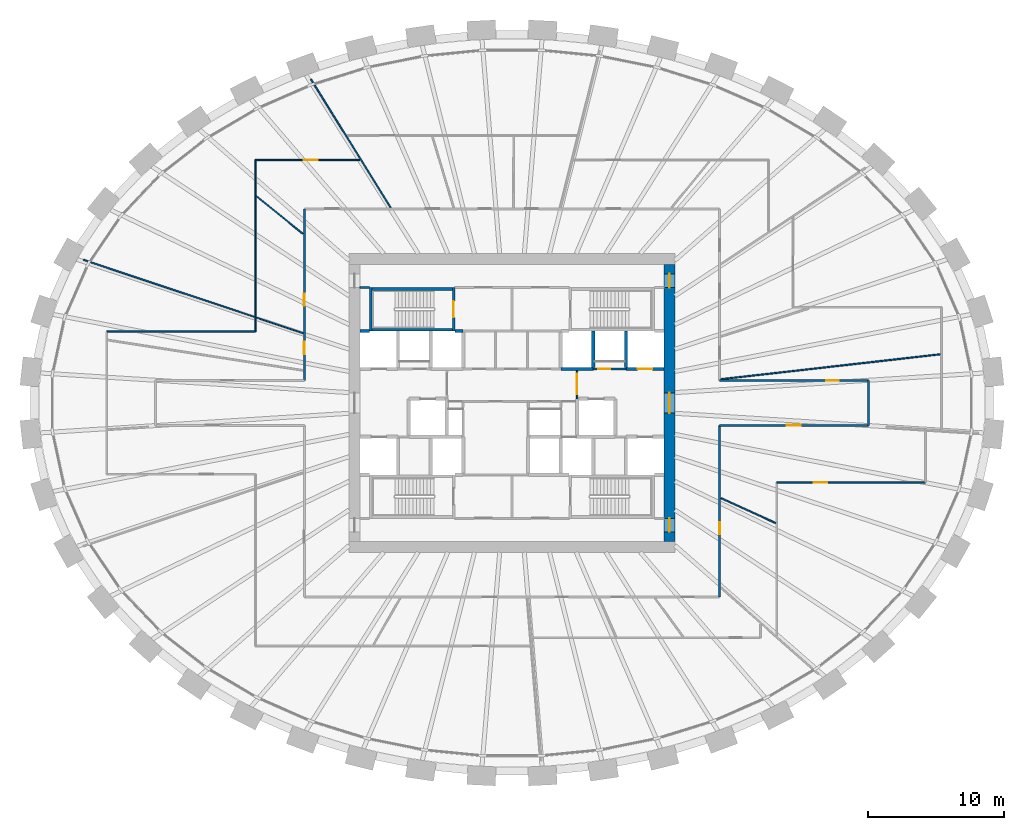
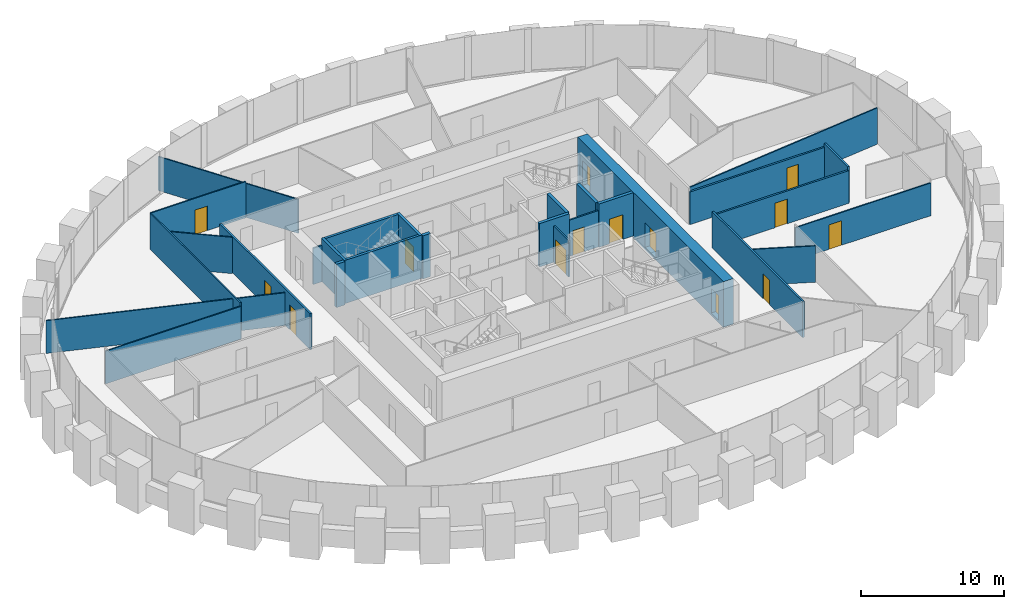
# One storey, part 8 of 11: 28 walls, 14 doors, 14 openings.
"""IFC4 building model written with IfcOpenShell, lengths in metres."""

import ifcopenshell
import ifcopenshell.guid

model = None  # the IFC model being written
_history = None  # IfcOwnerHistory: only IFC2X3 demands one
_inside = {}  # id of a spatial element -> (the spatial element, [elements in it])
_under = {}  # id of a project, library or spatial element -> (it, [spatial elements below it])
_declared = {}  # id of a project -> (the project, [libraries it declares])
_typed = {}  # id of a type object -> (the type object, [elements of that type])
_made_of = {}  # id of a material, layer set ... -> (it, [elements and type objects made of it])


def new_model(schema):
    """Start an empty IFC model of exactly this schema.

    Asked for "IFC4X3", IfcOpenShell would pick the latest addendum, in which some entities
    have other attributes; the version numbers below select the first issue.
    IFC2X3 requires an IfcOwnerHistory on every rooted entity: one is made here for all.
    """
    global model, _history
    if schema == "IFC4X3":
        model = ifcopenshell.file(schema_version=(4, 3, 0, 0))
    else:
        model = ifcopenshell.file(schema=schema)
    _inside.clear()
    _under.clear()
    _declared.clear()
    _typed.clear()
    _made_of.clear()
    _history = None
    if model.schema == "IFC2X3":
        org = make("IfcOrganization", Name="unknown")
        user = make(
            "IfcPersonAndOrganization",
            ThePerson=make("IfcPerson", FamilyName="unknown"),
            TheOrganization=org,
        )
        app = make(
            "IfcApplication",
            ApplicationDeveloper=org,
            Version="unknown",
            ApplicationFullName="unknown",
            ApplicationIdentifier="unknown",
        )
        _history = make(
            "IfcOwnerHistory",
            OwningUser=user,
            OwningApplication=app,
            ChangeAction="ADDED",
            CreationDate=0,
        )
    return model


def make(cls, **values):
    """One entity of the class cls with the attributes given. An attribute that is None is left unset."""
    return model.create_entity(
        cls, **{name: value for name, value in values.items() if value is not None}
    )


def rooted(cls, **values):
    """An entity with a GlobalId (a new one), such as an element, a storey or a relation."""
    return make(cls, GlobalId=ifcopenshell.guid.new(), OwnerHistory=_history, **values)


def si_unit(unit_type, name, prefix=None):
    """IfcSIUnit, for example si_unit("LENGTHUNIT", "METRE", prefix="MILLI")."""
    return make("IfcSIUnit", UnitType=unit_type, Prefix=prefix, Name=name)


def assignment(units):
    """IfcUnitAssignment: the units of a project."""
    return None if units is None else make("IfcUnitAssignment", Units=units)


def point(xyz):
    """IfcCartesianPoint."""
    return None if xyz is None else make("IfcCartesianPoint", Coordinates=xyz)


def direction(xyz):
    """IfcDirection."""
    return None if xyz is None else make("IfcDirection", DirectionRatios=xyz)


def frame(location, z_axis=None, x_axis=None):
    """IfcAxis2Placement3D, a coordinate frame: its origin and axes. An axis left out is left unset."""
    return make(
        "IfcAxis2Placement3D",
        Location=point(location),
        Axis=direction(z_axis),
        RefDirection=direction(x_axis),
    )


def frame_2d(location, x_axis=None):
    """IfcAxis2Placement2D, a coordinate frame in the plane: its origin and x axis."""
    return make(
        "IfcAxis2Placement2D", Location=point(location), RefDirection=direction(x_axis)
    )


def origin():
    """The frame at (0, 0, 0) with its axes left unset."""
    return frame((0.0, 0.0, 0.0))


def place(relative_to, where):
    """IfcLocalPlacement: puts the frame where relative to a parent placement (None: the world)."""
    return make(
        "IfcLocalPlacement", PlacementRelTo=relative_to, RelativePlacement=where
    )


def context(
    kind, dimensions, precision=None, world=None, true_north=None, identifier=None
):
    """IfcGeometricRepresentationContext, for example the 3D "Model" context."""
    return make(
        "IfcGeometricRepresentationContext",
        ContextIdentifier=identifier,
        ContextType=kind,
        CoordinateSpaceDimension=dimensions,
        Precision=precision,
        WorldCoordinateSystem=world,
        TrueNorth=true_north,
    )


def subcontext(parent, identifier, kind, view, scale=None):
    """IfcGeometricRepresentationSubContext, for example "Body" below "Model"."""
    return make(
        "IfcGeometricRepresentationSubContext",
        ContextIdentifier=identifier,
        ContextType=kind,
        ParentContext=parent,
        TargetScale=scale,
        TargetView=view,
    )


def project(units=None, contexts=None):
    """IfcProject with its units and contexts."""
    return rooted(
        "IfcProject",
        Name="project",
        RepresentationContexts=contexts,
        UnitsInContext=assignment(units),
    )


def spatial(cls, under=None, at=None, **own):
    """A site, building, storey or space (cls), placed at a placement, below another one or the project."""
    s = rooted(cls, ObjectPlacement=at, **own)
    if under is not None:
        _under.setdefault(under.id(), (under, []))[1].append(s)
    return s


def profile(cls, at=None, kind="AREA", **sizes):
    """A parametric profile (cls). Its sizes go by their IFC names, for example OverallWidth=200.0."""
    return make(cls, ProfileType=kind, Position=at, **sizes)


def rectangle(**sizes):
    """IfcRectangleProfileDef."""
    return profile("IfcRectangleProfileDef", **sizes)


def extrude(swept, where, along, depth):
    """IfcExtrudedAreaSolid: the profile swept, set in the frame where, extruded along a direction by depth."""
    return make(
        "IfcExtrudedAreaSolid",
        SweptArea=swept,
        Position=where,
        ExtrudedDirection=direction(along),
        Depth=depth,
    )


def shape(context_of_items, identifier, shape_type, items):
    """IfcShapeRepresentation: the items that make up one representation, for example the "Body"."""
    return make(
        "IfcShapeRepresentation",
        ContextOfItems=context_of_items,
        RepresentationIdentifier=identifier,
        RepresentationType=shape_type,
        Items=items,
    )


def source(mapping_origin, context_of_items, identifier, shape_type, items):
    """IfcRepresentationMap: a shape defined once, which mapped items show again and again."""
    return make(
        "IfcRepresentationMap",
        MappingOrigin=mapping_origin,
        MappedRepresentation=shape(context_of_items, identifier, shape_type, items),
    )


def transform(
    local_origin,
    x_axis=None,
    y_axis=None,
    z_axis=None,
    scale=None,
    scale2=None,
    scale3=None,
    uniform=True,
):
    """IfcCartesianTransformationOperator3D, or its non-uniform kind. x_axis, y_axis, z_axis: its Axis1, 2, 3."""
    if uniform:
        return make(
            "IfcCartesianTransformationOperator3D",
            Axis1=direction(x_axis),
            Axis2=direction(y_axis),
            LocalOrigin=point(local_origin),
            Scale=scale,
            Axis3=direction(z_axis),
        )
    return make(
        "IfcCartesianTransformationOperator3DnonUniform",
        Axis1=direction(x_axis),
        Axis2=direction(y_axis),
        LocalOrigin=point(local_origin),
        Scale=scale,
        Axis3=direction(z_axis),
        Scale2=scale2,
        Scale3=scale3,
    )


def mapped(mapping_source, mapping_target):
    """IfcMappedItem: shows the shape of a source again, moved by a transform."""
    return make(
        "IfcMappedItem", MappingSource=mapping_source, MappingTarget=mapping_target
    )


def material(Name=None, Category=None):
    """IfcMaterial."""
    return make("IfcMaterial", Name=Name, Category=Category)


def layer(
    of_material, thickness, ventilated=None, Name=None, Category=None, Priority=None
):
    """IfcMaterialLayer: one layer of a wall or slab, of a material (None: an air gap)."""
    return make(
        "IfcMaterialLayer",
        Material=of_material,
        LayerThickness=thickness,
        IsVentilated=ventilated,
        Name=Name,
        Category=Category,
        Priority=Priority,
    )


def layer_set(layers, Name=None):
    """IfcMaterialLayerSet."""
    return make("IfcMaterialLayerSet", MaterialLayers=layers, LayerSetName=Name)


def made_of(thing, what):
    """Note that an element or type object is made of a material, layer set ...; save() writes the relation."""
    if what is not None:
        _made_of.setdefault(what.id(), (what, []))[1].append(thing)
    return thing


def type_object(cls, material=None, **own):
    """A type object (cls), such as IfcWallType, which elements share."""
    return made_of(rooted(cls, **own), material)


def element(
    cls,
    number,
    at=None,
    inside=None,
    cuts=None,
    type_object=None,
    material=None,
    context=None,
    identifier="Body",
    shape_type=None,
    held_by="IfcProductDefinitionShape",
    body=None,
    shapes=None,
    **own,
):
    """One element of the class cls, such as IfcWall. Its Tag is "e" and its number.

    at: its placement. inside: the storey or other place that contains it. cuts: it is an
    opening in that element (IfcRelVoidsElement). A single representation is given by context,
    identifier, shape_type and body (its items); several are given by shapes. held_by: the class
    of the entity that holds the representations. save() writes the other relations.
    """
    e = rooted(cls, Tag="e%d" % number, ObjectPlacement=at, **own)
    if body is not None:
        shapes = [shape(context, identifier, shape_type, body)]
    if shapes is not None:
        e.Representation = make(held_by, Representations=shapes)
    if inside is not None:
        _inside.setdefault(inside.id(), (inside, []))[1].append(e)
    if cuts is not None:
        rooted(
            "IfcRelVoidsElement", RelatingBuildingElement=cuts, RelatedOpeningElement=e
        )
    if type_object is not None:
        _typed.setdefault(type_object.id(), (type_object, []))[1].append(e)
    return made_of(e, material)


def fill(opening, filler):
    """IfcRelFillsElement: the door or window that sits in an opening."""
    return rooted(
        "IfcRelFillsElement",
        RelatingOpeningElement=opening,
        RelatedBuildingElement=filler,
    )


def aggregate(whole, parts):
    """IfcRelAggregates: a whole, such as a stair, and the parts it consists of."""
    return rooted("IfcRelAggregates", RelatingObject=whole, RelatedObjects=parts)


def save(model, path):
    """Write the relations noted so far, then the file.

    IfcRelAggregates (storeys below a building ...), IfcRelContainedInSpatialStructure (elements
    in a storey), IfcRelDefinesByType, IfcRelAssociatesMaterial and IfcRelDeclares: one each for
    every whole, place, type object, material and project.
    """
    for whole, parts in _under.values():
        aggregate(whole, parts)
    for where, things in _inside.values():
        rooted(
            "IfcRelContainedInSpatialStructure",
            RelatedElements=things,
            RelatingStructure=where,
        )
    for kind, things in _typed.values():
        rooted("IfcRelDefinesByType", RelatedObjects=things, RelatingType=kind)
    for what, things in _made_of.values():
        rooted("IfcRelAssociatesMaterial", RelatedObjects=things, RelatingMaterial=what)
    for by, libraries in _declared.values():
        rooted("IfcRelDeclares", RelatingContext=by, RelatedDefinitions=libraries)
    model.write(path)


model = new_model("IFC4")

# Units and contexts
model_context = context("Model", 3, precision=1e-05, world=origin(), true_north=direction((0.0, 1.0)))
body_context = subcontext(model_context, "Body", "Model", "MODEL_VIEW")
ifc_project = project(units=[si_unit("LENGTHUNIT", "METRE"), si_unit("AREAUNIT", "SQUARE_METRE"), si_unit("VOLUMEUNIT", "CUBIC_METRE"), si_unit("PLANEANGLEUNIT", "RADIAN"), si_unit("MASSUNIT", "GRAM", prefix="KILO")], contexts=[model_context])

# Site, building, storey
site_placement = place(None, origin())
site = spatial("IfcSite", under=ifc_project, at=site_placement, CompositionType="ELEMENT")
building_placement = place(site_placement, origin())
building = spatial("IfcBuilding", under=site, at=building_placement, Name="Embergate Tower", CompositionType="ELEMENT")
storey_placement = place(building_placement, frame((0.0, 0.0, 219.0)))
storey = spatial("IfcBuildingStorey", under=building, at=storey_placement, Name="L50", CompositionType="ELEMENT", Elevation=219.0)

# Wall, openings, doors
ifc_material_1 = material(Name="Concrete C70", Category="concrete")
ifc_layer_1 = layer(ifc_material_1, 0.800048828125)
ifc_layer_set_1 = layer_set([ifc_layer_1], Name="Concrete C70")
wall_type_1 = type_object("IfcWallType", Name="Core outer wall C70 800", PredefinedType="SHEAR", material=ifc_layer_set_1)
shared_shape_1 = source(origin(), body_context, "Body", "SweptSolid", [
    extrude(rectangle(XDim=20.39990234375, YDim=0.800048828125, at=frame_2d((10.199951171875, 0.0))), origin(), (0.0, 0.0, 1.0), 3.89990234375),
])
wall_1_placement = place(storey_placement, frame((11.60009765625, -10.199951171875, -0.199951171875), z_axis=(0.0, 0.0, 1.0), x_axis=(0.0, 1.0, 0.0)))
wall_1 = element("IfcWall", 1, at=wall_1_placement, inside=storey, type_object=wall_type_1, Name="CW-L50-E", PredefinedType="SHEAR", context=body_context, shape_type="MappedRepresentation", body=[
    mapped(shared_shape_1, transform((0.0, 0.0, 0.0))),
])
shared_shape_2 = source(origin(), body_context, "Body", "SweptSolid", [
    extrude(rectangle(XDim=1.0, YDim=2.10009765625, at=frame_2d((0.5, 1.050048828125))), frame((0.0, 0.409912109375, 0.0), z_axis=(0.0, -1.0, 0.0), x_axis=(1.0, 0.0, 0.0)), (0.0, 0.0, 1.0), 0.820068359375),
])
opening_1_placement = place(wall_1_placement, frame((18.699951171875, 0.0, 0.199951171875)))
opening_1 = element("IfcOpeningElement", 2, at=opening_1_placement, cuts=wall_1, Name="Opening IF-1d", PredefinedType="OPENING", context=body_context, shape_type="MappedRepresentation", body=[
    mapped(shared_shape_2, transform((0.0, 0.0, 0.0))),
])
opening_2_placement = place(wall_1_placement, frame((0.699951171875, 0.0, 0.199951171875)))
opening_2 = element("IfcOpeningElement", 3, at=opening_2_placement, cuts=wall_1, Name="Opening IF-1d", PredefinedType="OPENING", context=body_context, shape_type="MappedRepresentation", body=[
    mapped(shared_shape_2, transform((0.0, 0.0, 0.0))),
])
shared_shape_3 = source(origin(), body_context, "Body", "SweptSolid", [
    extrude(rectangle(XDim=1.5, YDim=2.10009765625, at=frame_2d((0.75, 1.050048828125))), frame((0.0, 0.409912109375, 0.0), z_axis=(0.0, -1.0, 0.0), x_axis=(1.0, 0.0, 0.0)), (0.0, 0.0, 1.0), 0.820068359375),
])
opening_3_placement = place(wall_1_placement, frame((9.449951171875, 0.0, 0.199951171875)))
opening_3 = element("IfcOpeningElement", 4, at=opening_3_placement, cuts=wall_1, Name="Opening IF-3", PredefinedType="OPENING", context=body_context, shape_type="MappedRepresentation", body=[
    mapped(shared_shape_3, transform((0.0, 0.0, 0.0))),
])
ifc_material_2 = material(Name="Lobby fire door pair 1500")
door_type_1 = type_object("IfcDoorType", Name="Lobby fire door pair 1500", OperationType="DOUBLE_DOOR_SINGLE_SWING", PredefinedType="DOOR", material=ifc_material_2)
shared_shape_4 = source(origin(), body_context, "Body", "SweptSolid", [
    extrude(rectangle(XDim=1.5, YDim=2.10009765625, at=frame_2d((0.75, 1.050048828125))), frame((0.0, 0.02490234375, 0.0), z_axis=(0.0, -1.0, 0.0), x_axis=(1.0, 0.0, 0.0)), (0.0, 0.0, 1.0), 0.050048828125),
])
door_1_placement = place(opening_3_placement, origin())
door_1 = element("IfcDoor", 5, at=door_1_placement, inside=storey, type_object=door_type_1, Name="IF-3 door", OperationType="DOUBLE_DOOR_SINGLE_SWING", OverallHeight=2.10009765625, OverallWidth=1.5, PredefinedType="DOOR", context=body_context, shape_type="MappedRepresentation", body=[
    mapped(shared_shape_4, transform((0.0, 0.0, 0.0))),
])
fill(opening_3, door_1)
ifc_material_3 = material(Name="Escape fire door 1000")
door_type_2 = type_object("IfcDoorType", Name="Escape fire door 1000", OperationType="SINGLE_SWING_LEFT", PredefinedType="DOOR", material=ifc_material_3)
shared_shape_5 = source(origin(), body_context, "Body", "SweptSolid", [
    extrude(rectangle(XDim=1.0, YDim=2.10009765625, at=frame_2d((0.5, 1.050048828125))), frame((0.0, 0.02490234375, 0.0), z_axis=(0.0, -1.0, 0.0), x_axis=(1.0, 0.0, 0.0)), (0.0, 0.0, 1.0), 0.050048828125),
])
door_2_placement = place(opening_1_placement, origin())
door_2 = element("IfcDoor", 6, at=door_2_placement, inside=storey, type_object=door_type_2, Name="IF-1 door", OperationType="SINGLE_SWING_LEFT", OverallHeight=2.10009765625, OverallWidth=1.0, PredefinedType="DOOR", context=body_context, shape_type="MappedRepresentation", body=[
    mapped(shared_shape_5, transform((0.0, 0.0, 0.0))),
])
fill(opening_1, door_2)
door_3_placement = place(opening_2_placement, origin())
door_3 = element("IfcDoor", 7, at=door_3_placement, inside=storey, type_object=door_type_2, Name="IF-1 door", OperationType="SINGLE_SWING_LEFT", OverallHeight=2.10009765625, OverallWidth=1.0, PredefinedType="DOOR", context=body_context, shape_type="MappedRepresentation", body=[
    mapped(shared_shape_5, transform((0.0, 0.0, 0.0))),
])
fill(opening_2, door_3)

# Walls
ifc_material_4 = material(Name="Concrete C50", Category="concrete")
ifc_layer_2 = layer(ifc_material_4, 0.25)
ifc_layer_set_2 = layer_set([ifc_layer_2], Name="Concrete C50")
wall_type_2 = type_object("IfcWallType", Name="Hoistway wall reinforced concrete 250", PredefinedType="SHEAR", material=ifc_layer_set_2)
shared_shape_6 = source(origin(), body_context, "Body", "SweptSolid", [
    extrude(rectangle(XDim=2.675048828125, YDim=0.25, at=frame_2d((1.33740234375, 0.0))), origin(), (0.0, 0.0, 1.0), 3.699951171875),
])
for number, where, z_axis, x_axis, name in (
    (8, (6.0, 2.625, 0.0), (0.0, 0.0, 1.0), (0.0, 1.0, 0.0), "HW-1 wall"),
    (9, (8.39990234375, 2.625, 0.0), (0.0, 0.0, 1.0), (0.0, 1.0, 0.0), "HW-1 wall"),
):
    element("IfcWall", number, at=place(storey_placement, frame(where, z_axis=z_axis, x_axis=x_axis)), inside=storey, type_object=wall_type_2, Name=name, PredefinedType="SHEAR", context=body_context, shape_type="MappedRepresentation", body=[
        mapped(shared_shape_6, transform((0.0, 0.0, 0.0))),
    ])
ifc_layer_3 = layer(ifc_material_4, 0.199951171875)
ifc_layer_set_3 = layer_set([ifc_layer_3], Name="Concrete C50")
wall_type_3 = type_object("IfcWallType", Name="Stair enclosure wall reinforced concrete 250", PredefinedType="SHEAR", material=ifc_layer_set_3)
shared_shape_7 = source(origin(), body_context, "Body", "SweptSolid", [
    extrude(rectangle(XDim=6.300048828125, YDim=0.199951171875, at=frame_2d((3.14990234375, 0.0))), origin(), (0.0, 0.0, 1.0), 3.699951171875),
])
for number, where, z_axis, x_axis, name in (
    (10, (-4.199951171875, 5.39990234375, 0.0), (0.0, 0.0, 1.0), (-1.0, 0.0, 0.0), "SE-1 wall"),
    (11, (-4.199951171875, 8.39990234375, 0.0), (0.0, 0.0, 1.0), (-1.0, 0.0, 0.0), "SE-1 wall"),
):
    element("IfcWall", number, at=place(storey_placement, frame(where, z_axis=z_axis, x_axis=x_axis)), inside=storey, type_object=wall_type_3, Name=name, PredefinedType="SHEAR", context=body_context, shape_type="MappedRepresentation", body=[
        mapped(shared_shape_7, transform((0.0, 0.0, 0.0))),
    ])

# Wall, opening, door
ifc_material_5 = material(Name="Core partition blockwork 120")
ifc_layer_4 = layer(ifc_material_5, 0.1201171875)
ifc_layer_set_4 = layer_set([ifc_layer_4], Name="Core partition blockwork 120")
wall_type_4 = type_object("IfcWallType", Name="Core partition blockwork 120", PredefinedType="PARTITIONING", material=ifc_layer_set_4)
shared_shape_8 = source(origin(), body_context, "Body", "SweptSolid", [
    extrude(rectangle(XDim=2.074951171875, YDim=0.1201171875, at=frame_2d((1.03759765625, 0.0))), origin(), (0.0, 0.0, 1.0), 3.10009765625),
])
wall_2_placement = place(storey_placement, frame((4.800048828125, 0.300048828125, 0.0), z_axis=(0.0, 0.0, 1.0), x_axis=(0.0, 1.0, 0.0)))
wall_2 = element("IfcWall", 12, at=wall_2_placement, inside=storey, type_object=wall_type_4, Name="IP-3 wall", PredefinedType="PARTITIONING", context=body_context, shape_type="MappedRepresentation", body=[
    mapped(shared_shape_8, transform((0.0, 0.0, 0.0))),
])
shared_shape_9 = source(origin(), body_context, "Body", "SweptSolid", [
    extrude(rectangle(XDim=1.5, YDim=2.10009765625, at=frame_2d((0.75, 1.050048828125))), frame((0.0, 0.070068359375, 0.0), z_axis=(0.0, -1.0, 0.0), x_axis=(1.0, 0.0, 0.0)), (0.0, 0.0, 1.0), 0.14013671875),
])
opening_4_placement = place(wall_2_placement, frame((0.35009765625, 0.0, 0.0)))
opening_4 = element("IfcOpeningElement", 13, at=opening_4_placement, cuts=wall_2, Name="Opening IF-3", PredefinedType="OPENING", context=body_context, shape_type="MappedRepresentation", body=[
    mapped(shared_shape_9, transform((0.0, 0.0, 0.0))),
])
door_4_placement = place(opening_4_placement, origin())
door_4 = element("IfcDoor", 14, at=door_4_placement, inside=storey, type_object=door_type_1, Name="IF-3 door", OperationType="DOUBLE_DOOR_SINGLE_SWING", OverallHeight=2.10009765625, OverallWidth=1.5, PredefinedType="DOOR", context=body_context, shape_type="MappedRepresentation", body=[
    mapped(shared_shape_4, transform((0.0, 0.0, 0.0))),
])
fill(opening_4, door_4)

shared_shape_10 = source(origin(), body_context, "Body", "SweptSolid", [
    extrude(rectangle(XDim=3.199951171875, YDim=0.199951171875, at=frame_2d((1.60009765625, 0.0))), origin(), (0.0, 0.0, 1.0), 3.699951171875),
])
wall_3_placement = place(storey_placement, frame((-4.300048828125, 5.300048828125, 0.0), z_axis=(0.0, 0.0, 1.0), x_axis=(0.0, 1.0, 0.0)))
wall_3 = element("IfcWall", 15, at=wall_3_placement, inside=storey, type_object=wall_type_3, Name="SE-1 wall", PredefinedType="SHEAR", context=body_context, shape_type="MappedRepresentation", body=[
    mapped(shared_shape_10, transform((0.0, 0.0, 0.0))),
])
shared_shape_11 = source(origin(), body_context, "Body", "SweptSolid", [
    extrude(rectangle(XDim=1.199951171875, YDim=2.10009765625, at=frame_2d((0.60009765625, 1.050048828125))), frame((0.0, 0.10986328125, 0.0), z_axis=(0.0, -1.0, 0.0), x_axis=(1.0, 0.0, 0.0)), (0.0, 0.0, 1.0), 0.219970703125),
])
opening_5_placement = place(wall_3_placement, frame((1.0, 0.0, 0.0)))
opening_5 = element("IfcOpeningElement", 16, at=opening_5_placement, cuts=wall_3, Name="Opening IF-2", PredefinedType="OPENING", context=body_context, shape_type="MappedRepresentation", body=[
    mapped(shared_shape_11, transform((0.0, 0.0, 0.0))),
])
ifc_material_6 = material(Name="Stair enclosure door 1200")
door_type_3 = type_object("IfcDoorType", Name="Stair enclosure door 1200", OperationType="SINGLE_SWING_LEFT", PredefinedType="DOOR", material=ifc_material_6)
shared_shape_12 = source(origin(), body_context, "Body", "SweptSolid", [
    extrude(rectangle(XDim=1.199951171875, YDim=2.10009765625, at=frame_2d((0.60009765625, 1.050048828125))), frame((0.0, 0.02490234375, 0.0), z_axis=(0.0, -1.0, 0.0), x_axis=(1.0, 0.0, 0.0)), (0.0, 0.0, 1.0), 0.050048828125),
])
door_5_placement = place(opening_5_placement, origin())
door_5 = element("IfcDoor", 17, at=door_5_placement, inside=storey, type_object=door_type_3, Name="IF-2 door", OperationType="SINGLE_SWING_RIGHT", OverallHeight=2.10009765625, OverallWidth=1.199951171875, PredefinedType="DOOR", context=body_context, shape_type="MappedRepresentation", body=[
    mapped(shared_shape_12, transform((0.0, 0.0, 0.0))),
])
fill(opening_5, door_5)

# Wall
shared_shape_13 = source(origin(), body_context, "Body", "SweptSolid", [
    extrude(rectangle(XDim=2.39990234375, YDim=0.25, at=frame_2d((1.199951171875, 0.0))), origin(), (0.0, 0.0, 1.0), 3.699951171875),
])
wall_4_placement = place(storey_placement, frame((3.60009765625, 2.5, 0.0), z_axis=(0.0, 0.0, 1.0), x_axis=(1.0, 0.0, 0.0)))
element("IfcWall", 18, at=wall_4_placement, inside=storey, type_object=wall_type_2, Name="HW-1 wall", PredefinedType="SHEAR", context=body_context, shape_type="MappedRepresentation", body=[
    mapped(shared_shape_13, transform((0.0, 0.0, 0.0))),
])

# Wall, opening, door
ifc_material_7 = material(Name="Corridor wall dry-lined 150")
ifc_layer_5 = layer(ifc_material_7, 0.14990234375)
ifc_layer_set_5 = layer_set([ifc_layer_5], Name="Corridor wall dry-lined 150")
wall_type_5 = type_object("IfcWallType", Name="Corridor wall dry-lined 150", PredefinedType="PARTITIONING", material=ifc_layer_set_5)
shared_shape_14 = source(origin(), body_context, "Body", "SweptSolid", [
    extrude(rectangle(XDim=10.949951171875, YDim=0.14990234375, at=frame_2d((5.47509765625, 0.0))), origin(), (0.0, 0.0, 1.0), 2.800048828125),
])
wall_5_placement = place(storey_placement, frame((15.300048828125, -1.64990234375, 0.0), z_axis=(0.0, 0.0, 1.0), x_axis=(1.0, 0.0, 0.0)))
wall_5 = element("IfcWall", 19, at=wall_5_placement, inside=storey, type_object=wall_type_5, Name="IP-2 wall", PredefinedType="PARTITIONING", context=body_context, shape_type="MappedRepresentation", body=[
    mapped(shared_shape_14, transform((0.0, 0.0, 0.0))),
])
shared_shape_15 = source(origin(), body_context, "Body", "SweptSolid", [
    extrude(rectangle(XDim=1.0, YDim=2.10009765625, at=frame_2d((0.5, 1.050048828125))), frame((0.0, 0.0849609375, 0.0), z_axis=(0.0, -1.0, 0.0), x_axis=(1.0, 0.0, 0.0)), (0.0, 0.0, 1.0), 0.169921875),
])
opening_6_placement = place(wall_5_placement, frame((4.9560546875, 0.0, 0.0)))
opening_6 = element("IfcOpeningElement", 20, at=opening_6_placement, cuts=wall_5, Name="Opening ID-2", PredefinedType="OPENING", context=body_context, shape_type="MappedRepresentation", body=[
    mapped(shared_shape_15, transform((0.0, 0.0, 0.0))),
])
ifc_material_8 = material(Name="Interior door 1000")
door_type_4 = type_object("IfcDoorType", Name="Interior door 1000", OperationType="SINGLE_SWING_LEFT", PredefinedType="DOOR", material=ifc_material_8)
door_6_placement = place(opening_6_placement, origin())
door_6 = element("IfcDoor", 21, at=door_6_placement, inside=storey, type_object=door_type_4, Name="ID-2 door", OperationType="SINGLE_SWING_RIGHT", OverallHeight=2.10009765625, OverallWidth=1.0, PredefinedType="DOOR", context=body_context, shape_type="MappedRepresentation", body=[
    mapped(shared_shape_5, transform((0.0, 0.0, 0.0))),
])
fill(opening_6, door_6)

wall_6_placement = place(storey_placement, frame((26.25, 1.64990234375, 0.0), z_axis=(0.0, 0.0, 1.0), x_axis=(-1.0, 0.0, 0.0)))
wall_6 = element("IfcWall", 22, at=wall_6_placement, inside=storey, type_object=wall_type_5, Name="IP-2 wall", PredefinedType="PARTITIONING", context=body_context, shape_type="MappedRepresentation", body=[
    mapped(shared_shape_14, transform((0.0, 0.0, 0.0))),
])
shared_shape_16 = source(origin(), body_context, "Body", "SweptSolid", [
    extrude(rectangle(XDim=0.89990234375, YDim=2.10009765625, at=frame_2d((0.449951171875, 1.050048828125))), frame((0.0, 0.0849609375, 0.0), z_axis=(0.0, -1.0, 0.0), x_axis=(1.0, 0.0, 0.0)), (0.0, 0.0, 1.0), 0.169921875),
])
opening_7_placement = place(wall_6_placement, frame((2.18994140625, 0.0, 0.0)))
opening_7 = element("IfcOpeningElement", 23, at=opening_7_placement, cuts=wall_6, Name="Opening IF-1c", PredefinedType="OPENING", context=body_context, shape_type="MappedRepresentation", body=[
    mapped(shared_shape_16, transform((0.0, 0.0, 0.0))),
])
ifc_material_9 = material(Name="Escape fire door 900")
door_type_5 = type_object("IfcDoorType", Name="Escape fire door 900", OperationType="SINGLE_SWING_LEFT", PredefinedType="DOOR", material=ifc_material_9)
shared_shape_17 = source(origin(), body_context, "Body", "SweptSolid", [
    extrude(rectangle(XDim=0.89990234375, YDim=2.10009765625, at=frame_2d((0.449951171875, 1.050048828125))), frame((0.0, 0.02490234375, 0.0), z_axis=(0.0, -1.0, 0.0), x_axis=(1.0, 0.0, 0.0)), (0.0, 0.0, 1.0), 0.050048828125),
])
door_7_placement = place(opening_7_placement, origin())
door_7 = element("IfcDoor", 24, at=door_7_placement, inside=storey, type_object=door_type_5, Name="IF-1 door", OperationType="SINGLE_SWING_LEFT", OverallHeight=2.10009765625, OverallWidth=0.89990234375, PredefinedType="DOOR", context=body_context, shape_type="MappedRepresentation", body=[
    mapped(shared_shape_17, transform((0.0, 0.0, 0.0))),
])
fill(opening_7, door_7)

ifc_material_10 = material(Name="Partition dry-lined 100")
ifc_layer_6 = layer(ifc_material_10, 0.10009765625)
ifc_layer_set_6 = layer_set([ifc_layer_6], Name="Partition dry-lined 100")
wall_type_6 = type_object("IfcWallType", Name="Partition dry-lined 100", PredefinedType="PARTITIONING", material=ifc_layer_set_6)
shared_shape_18 = source(origin(), body_context, "Body", "SweptSolid", [
    extrude(rectangle(XDim=10.949951171875, YDim=0.10009765625, at=frame_2d((5.47509765625, 0.0))), origin(), (0.0, 0.0, 1.0), 2.800048828125),
])
wall_7_placement = place(storey_placement, frame((30.449951171875, -5.85009765625, 0.0), z_axis=(0.0, 0.0, 1.0), x_axis=(-1.0, 0.0, 0.0)))
wall_7 = element("IfcWall", 25, at=wall_7_placement, inside=storey, type_object=wall_type_6, Name="IP-1 wall", PredefinedType="PARTITIONING", context=body_context, shape_type="MappedRepresentation", body=[
    mapped(shared_shape_18, transform((0.0, 0.0, 0.0))),
])
shared_shape_19 = source(origin(), body_context, "Body", "SweptSolid", [
    extrude(rectangle(XDim=1.0, YDim=2.10009765625, at=frame_2d((0.5, 1.050048828125))), frame((0.0, 0.06005859375, 0.0), z_axis=(0.0, -1.0, 0.0), x_axis=(1.0, 0.0, 0.0)), (0.0, 0.0, 1.0), 0.1201171875),
])
opening_8_placement = place(wall_7_placement, frame((7.218994140625, 0.0, 0.0)))
opening_8 = element("IfcOpeningElement", 26, at=opening_8_placement, cuts=wall_7, Name="Opening ID-2", PredefinedType="OPENING", context=body_context, shape_type="MappedRepresentation", body=[
    mapped(shared_shape_19, transform((0.0, 0.0, 0.0))),
])
door_8_placement = place(opening_8_placement, origin())
door_8 = element("IfcDoor", 27, at=door_8_placement, inside=storey, type_object=door_type_4, Name="ID-2 door", OperationType="SINGLE_SWING_RIGHT", OverallHeight=2.10009765625, OverallWidth=1.0, PredefinedType="DOOR", context=body_context, shape_type="MappedRepresentation", body=[
    mapped(shared_shape_5, transform((0.0, 0.0, 0.0))),
])
fill(opening_8, door_8)

shared_shape_20 = source(origin(), body_context, "Body", "SweptSolid", [
    extrude(rectangle(XDim=2.800048828125, YDim=0.25, at=frame_2d((1.39990234375, 0.0))), origin(), (0.0, 0.0, 1.0), 3.699951171875),
])
wall_8_placement = place(storey_placement, frame((8.39990234375, 2.5, 0.0), z_axis=(0.0, 0.0, 1.0), x_axis=(1.0, 0.0, 0.0)))
wall_8 = element("IfcWall", 28, at=wall_8_placement, inside=storey, type_object=wall_type_2, Name="HW-1 wall", PredefinedType="SHEAR", context=body_context, shape_type="MappedRepresentation", body=[
    mapped(shared_shape_20, transform((0.0, 0.0, 0.0))),
])
shared_shape_21 = source(origin(), body_context, "Body", "SweptSolid", [
    extrude(rectangle(XDim=1.10009765625, YDim=2.10009765625, at=frame_2d((0.550048828125, 1.050048828125))), frame((0.0, 0.135009765625, 0.0), z_axis=(0.0, -1.0, 0.0), x_axis=(1.0, 0.0, 0.0)), (0.0, 0.0, 1.0), 0.27001953125),
])
opening_9_placement = place(wall_8_placement, frame((0.85009765625, 0.0, 0.0)))
opening_9 = element("IfcOpeningElement", 29, at=opening_9_placement, cuts=wall_8, Name="Opening LD", PredefinedType="OPENING", context=body_context, shape_type="MappedRepresentation", body=[
    mapped(shared_shape_21, transform((0.0, 0.0, 0.0))),
])
ifc_material_11 = material(Name="Landing door sliding 1100")
door_type_6 = type_object("IfcDoorType", Name="Landing door sliding 1100", OperationType="SLIDING_TO_LEFT", PredefinedType="DOOR", material=ifc_material_11)
shared_shape_22 = source(origin(), body_context, "Body", "SweptSolid", [
    extrude(rectangle(XDim=1.10009765625, YDim=2.10009765625, at=frame_2d((0.550048828125, 1.050048828125))), frame((0.0, 0.02490234375, 0.0), z_axis=(0.0, -1.0, 0.0), x_axis=(1.0, 0.0, 0.0)), (0.0, 0.0, 1.0), 0.050048828125),
])
door_9_placement = place(opening_9_placement, origin())
door_9 = element("IfcDoor", 30, at=door_9_placement, inside=storey, type_object=door_type_6, Name="LD door", OperationType="SLIDING_TO_RIGHT", OverallHeight=2.10009765625, OverallWidth=1.10009765625, PredefinedType="DOOR", context=body_context, shape_type="MappedRepresentation", body=[
    mapped(shared_shape_22, transform((0.0, 0.0, 0.0))),
])
fill(opening_9, door_9)

shared_shape_23 = source(origin(), body_context, "Body", "SweptSolid", [
    extrude(rectangle(XDim=2.39990234375, YDim=0.1201171875, at=frame_2d((1.199951171875, 0.0))), origin(), (0.0, 0.0, 1.0), 3.10009765625),
])
wall_9_placement = place(storey_placement, frame((6.0, 2.5, 0.0), z_axis=(0.0, 0.0, 1.0), x_axis=(1.0, 0.0, 0.0)))
wall_9 = element("IfcWall", 31, at=wall_9_placement, inside=storey, type_object=wall_type_4, Name="IP-3 wall", PredefinedType="PARTITIONING", context=body_context, shape_type="MappedRepresentation", body=[
    mapped(shared_shape_23, transform((0.0, 0.0, 0.0))),
])
shared_shape_24 = source(origin(), body_context, "Body", "SweptSolid", [
    extrude(rectangle(XDim=0.89990234375, YDim=2.10009765625, at=frame_2d((0.449951171875, 1.050048828125))), frame((0.0, 0.070068359375, 0.0), z_axis=(0.0, -1.0, 0.0), x_axis=(1.0, 0.0, 0.0)), (0.0, 0.0, 1.0), 0.14013671875),
])
opening_10_placement = place(wall_9_placement, frame((0.35009765625, 0.0, 0.0)))
opening_10 = element("IfcOpeningElement", 32, at=opening_10_placement, cuts=wall_9, Name="Opening ID-1", PredefinedType="OPENING", context=body_context, shape_type="MappedRepresentation", body=[
    mapped(shared_shape_24, transform((0.0, 0.0, 0.0))),
])
ifc_material_12 = material(Name="Interior door 900")
door_type_7 = type_object("IfcDoorType", Name="Interior door 900", OperationType="SINGLE_SWING_LEFT", PredefinedType="DOOR", material=ifc_material_12)
door_10_placement = place(opening_10_placement, origin())
door_10 = element("IfcDoor", 33, at=door_10_placement, inside=storey, type_object=door_type_7, Name="ID-1 door", OperationType="SINGLE_SWING_LEFT", OverallHeight=2.10009765625, OverallWidth=0.89990234375, PredefinedType="DOOR", context=body_context, shape_type="MappedRepresentation", body=[
    mapped(shared_shape_17, transform((0.0, 0.0, 0.0))),
])
fill(opening_10, door_10)

# Walls
shared_shape_25 = source(origin(), body_context, "Body", "SweptSolid", [
    extrude(rectangle(XDim=0.599853515625, YDim=0.25, at=frame_2d((0.2998046875, 0.0))), origin(), (0.0, 0.0, 1.0), 3.699951171875),
])
wall_10_placement = place(storey_placement, frame((-3.60009765625, 5.300048828125, 0.0), z_axis=(0.0, 0.0, 1.0), x_axis=(-1.0, 0.0, 0.0)))
element("IfcWall", 34, at=wall_10_placement, inside=storey, type_object=wall_type_2, Name="HW-1 wall", PredefinedType="SHEAR", context=body_context, shape_type="MappedRepresentation", body=[
    mapped(shared_shape_25, transform((0.0, 0.0, 0.0))),
])
shared_shape_26 = source(origin(), body_context, "Body", "SweptSolid", [
    extrude(rectangle(XDim=3.196044921875, YDim=0.199951171875, at=frame_2d((1.59814453125, 0.0))), origin(), (0.0, 0.0, 1.0), 3.699951171875),
])
wall_11_placement = place(storey_placement, frame((-10.39990234375, 8.498046875, 0.0), z_axis=(0.0, 0.0, 1.0), x_axis=(0.0, -1.0, 0.0)))
element("IfcWall", 35, at=wall_11_placement, inside=storey, type_object=wall_type_3, Name="SE-1 wall", PredefinedType="SHEAR", context=body_context, shape_type="MappedRepresentation", body=[
    mapped(shared_shape_26, transform((0.0, 0.0, 0.0))),
])
shared_shape_27 = source(origin(), body_context, "Body", "SweptSolid", [
    extrude(rectangle(XDim=0.697998046875, YDim=0.25, at=frame_2d((0.34912109375, 0.0))), origin(), (0.0, 0.0, 1.0), 3.699951171875),
])
wall_12_placement = place(storey_placement, frame((-10.501953125, 5.300048828125, 0.0), z_axis=(0.0, 0.0, 1.0), x_axis=(-1.0, 0.0, 0.0)))
element("IfcWall", 36, at=wall_12_placement, inside=storey, type_object=wall_type_2, Name="HW-1 wall", PredefinedType="SHEAR", context=body_context, shape_type="MappedRepresentation", body=[
    mapped(shared_shape_27, transform((0.0, 0.0, 0.0))),
])
shared_shape_28 = source(origin(), body_context, "Body", "SweptSolid", [
    extrude(rectangle(XDim=0.697998046875, YDim=0.1201171875, at=frame_2d((0.34912109375, 0.0))), origin(), (0.0, 0.0, 1.0), 3.10009765625),
])
wall_13_placement = place(storey_placement, frame((-11.199951171875, 8.5, 0.0), z_axis=(0.0, 0.0, 1.0), x_axis=(1.0, 0.0, 0.0)))
element("IfcWall", 37, at=wall_13_placement, inside=storey, type_object=wall_type_4, Name="IP-3 wall", PredefinedType="PARTITIONING", context=body_context, shape_type="MappedRepresentation", body=[
    mapped(shared_shape_28, transform((0.0, 0.0, 0.0))),
])
shared_shape_29 = source(origin(), body_context, "Body", "SweptSolid", [
    extrude(rectangle(XDim=10.9501953125, YDim=0.10009765625, at=frame_2d((5.47509765625, 0.0))), origin(), (0.0, 0.0, 1.0), 2.800048828125),
])
wall_14_placement = place(storey_placement, frame((-29.85009765625, 5.25, 0.0), z_axis=(0.0, 0.0, 1.0), x_axis=(1.0, 0.0, 0.0)))
element("IfcWall", 38, at=wall_14_placement, inside=storey, type_object=wall_type_6, Name="IP-1 wall", PredefinedType="PARTITIONING", context=body_context, shape_type="MappedRepresentation", body=[
    mapped(shared_shape_29, transform((0.0, 0.0, 0.0))),
])

# Wall, opening, door
ifc_material_13 = material(Name="Corridor wall dry-lined 150 wet")
ifc_layer_7 = layer(ifc_material_13, 0.14990234375)
ifc_layer_set_7 = layer_set([ifc_layer_7], Name="Corridor wall dry-lined 150 wet")
wall_type_7 = type_object("IfcWallType", Name="Corridor wall dry-lined 150 wet", PredefinedType="PLUMBINGWALL", material=ifc_layer_set_7)
shared_shape_30 = source(origin(), body_context, "Body", "SweptSolid", [
    extrude(rectangle(XDim=12.650146484375, YDim=0.14990234375, at=frame_2d((6.3251953125, 0.0))), origin(), (0.0, 0.0, 1.0), 3.10009765625),
])
wall_15_placement = place(storey_placement, frame((15.300048828125, -1.64990234375, 0.0), z_axis=(0.0, 0.0, 1.0), x_axis=(0.0, -1.0, 0.0)))
wall_15 = element("IfcWall", 39, at=wall_15_placement, inside=storey, type_object=wall_type_7, Name="IP-2 wall", PredefinedType="PLUMBINGWALL", context=body_context, shape_type="MappedRepresentation", body=[
    mapped(shared_shape_30, transform((0.0, 0.0, 0.0))),
])
opening_11_placement = place(wall_15_placement, frame((7.14111328125, 0.0, 0.0)))
opening_11 = element("IfcOpeningElement", 40, at=opening_11_placement, cuts=wall_15, Name="Opening IF-1c", PredefinedType="OPENING", context=body_context, shape_type="MappedRepresentation", body=[
    mapped(shared_shape_16, transform((0.0, 0.0, 0.0))),
])
door_11_placement = place(opening_11_placement, origin())
door_11 = element("IfcDoor", 41, at=door_11_placement, inside=storey, type_object=door_type_5, Name="IF-1 door", OperationType="SINGLE_SWING_LEFT", OverallHeight=2.10009765625, OverallWidth=0.89990234375, PredefinedType="DOOR", context=body_context, shape_type="MappedRepresentation", body=[
    mapped(shared_shape_17, transform((0.0, 0.0, 0.0))),
])
fill(opening_11, door_11)

# Wall, openings, doors
wall_16_placement = place(storey_placement, frame((-15.300048828125, 1.64990234375, 0.0), z_axis=(0.0, 0.0, 1.0), x_axis=(0.0, 1.0, 0.0)))
wall_16 = element("IfcWall", 42, at=wall_16_placement, inside=storey, type_object=wall_type_5, Name="IP-2 wall", PredefinedType="PARTITIONING", context=body_context, shape_type="MappedRepresentation", body=[
    mapped(shared_shape_30, transform((0.0, 0.0, 0.0))),
])
opening_12_placement = place(wall_16_placement, frame((5.491943359375, 0.0, 0.0)))
opening_12 = element("IfcOpeningElement", 43, at=opening_12_placement, cuts=wall_16, Name="Opening IF-1c", PredefinedType="OPENING", context=body_context, shape_type="MappedRepresentation", body=[
    mapped(shared_shape_16, transform((0.0, 0.0, 0.0))),
])
opening_13_placement = place(wall_16_placement, frame((1.94091796875, 0.0, 0.0)))
opening_13 = element("IfcOpeningElement", 44, at=opening_13_placement, cuts=wall_16, Name="Opening IF-1c", PredefinedType="OPENING", context=body_context, shape_type="MappedRepresentation", body=[
    mapped(shared_shape_16, transform((0.0, 0.0, 0.0))),
])
door_12_placement = place(opening_12_placement, origin())
door_12 = element("IfcDoor", 45, at=door_12_placement, inside=storey, type_object=door_type_5, Name="IF-1 door", OperationType="SINGLE_SWING_RIGHT", OverallHeight=2.10009765625, OverallWidth=0.89990234375, PredefinedType="DOOR", context=body_context, shape_type="MappedRepresentation", body=[
    mapped(shared_shape_17, transform((0.0, 0.0, 0.0))),
])
fill(opening_12, door_12)
door_13_placement = place(opening_13_placement, origin())
door_13 = element("IfcDoor", 46, at=door_13_placement, inside=storey, type_object=door_type_5, Name="IF-1 door", OperationType="SINGLE_SWING_LEFT", OverallHeight=2.10009765625, OverallWidth=0.89990234375, PredefinedType="DOOR", context=body_context, shape_type="MappedRepresentation", body=[
    mapped(shared_shape_17, transform((0.0, 0.0, 0.0))),
])
fill(opening_13, door_13)

# Walls
shared_shape_31 = source(origin(), body_context, "Body", "SweptSolid", [
    extrude(rectangle(XDim=3.2998046875, YDim=0.14990234375, at=frame_2d((1.64990234375, 0.0))), origin(), (0.0, 0.0, 1.0), 3.10009765625),
])
wall_17_placement = place(storey_placement, frame((26.25, -1.64990234375, 0.0), z_axis=(0.0, 0.0, 1.0), x_axis=(0.0, 1.0, 0.0)))
element("IfcWall", 47, at=wall_17_placement, inside=storey, type_object=wall_type_5, Name="IP-2 wall", PredefinedType="PARTITIONING", context=body_context, shape_type="MappedRepresentation", body=[
    mapped(shared_shape_31, transform((0.0, 0.0, 0.0))),
])
shared_shape_32 = source(origin(), body_context, "Body", "SweptSolid", [
    extrude(rectangle(XDim=17.070556640625, YDim=0.10009765625, at=frame_2d((8.53515625, 0.0))), origin(), (0.0, 0.0, 1.0), 2.800048828125),
])
wall_18_placement = place(storey_placement, frame((-31.58203125, 10.550048828125, 0.0), z_axis=(0.0, 0.0, 1.0), x_axis=(0.948472850585, -0.316858409552, 0.0)))
element("IfcWall", 48, at=wall_18_placement, inside=storey, type_object=wall_type_6, Name="IP-1 wall", PredefinedType="PARTITIONING", context=body_context, shape_type="MappedRepresentation", body=[
    mapped(shared_shape_32, transform((0.0, 0.0, 0.0))),
])
shared_shape_33 = source(origin(), body_context, "Body", "SweptSolid", [
    extrude(rectangle(XDim=12.64990234375, YDim=0.10009765625, at=frame_2d((6.324951171875, 0.0))), origin(), (0.0, 0.0, 1.0), 3.10009765625),
])
wall_19_placement = place(storey_placement, frame((-18.89990234375, 17.89990234375, 0.0), z_axis=(0.0, 0.0, 1.0), x_axis=(0.0, -1.0, 0.0)))
element("IfcWall", 49, at=wall_19_placement, inside=storey, type_object=wall_type_6, Name="IP-1 wall", PredefinedType="PARTITIONING", context=body_context, shape_type="MappedRepresentation", body=[
    mapped(shared_shape_33, transform((0.0, 0.0, 0.0))),
])
shared_shape_34 = source(origin(), body_context, "Body", "SweptSolid", [
    extrude(rectangle(XDim=4.43212890625, YDim=0.10009765625, at=frame_2d((2.216064453125, 0.0))), origin(), (0.0, 0.0, 1.0), 3.10009765625),
])
wall_20_placement = place(storey_placement, frame((15.39599609375, -7.014892578125, 0.0), z_axis=(0.0, 0.0, 1.0), x_axis=(0.909943435568, -0.414732376439, 0.0)))
element("IfcWall", 50, at=wall_20_placement, inside=storey, type_object=wall_type_6, Name="IP-1 wall", PredefinedType="PARTITIONING", context=body_context, shape_type="MappedRepresentation", body=[
    mapped(shared_shape_34, transform((0.0, 0.0, 0.0))),
])
shared_shape_35 = source(origin(), body_context, "Body", "SweptSolid", [
    extrude(rectangle(XDim=16.317138671875, YDim=0.10009765625, at=frame_2d((8.15869140625, 0.0))), origin(), (0.0, 0.0, 1.0), 3.10009765625),
])
wall_21_placement = place(storey_placement, frame((31.593994140625, 3.5869140625, 0.0), z_axis=(0.0, 0.0, 1.0), x_axis=(-0.993615932245, -0.112815686802, 0.0)))
element("IfcWall", 51, at=wall_21_placement, inside=storey, type_object=wall_type_6, Name="IP-1 wall", PredefinedType="PARTITIONING", context=body_context, shape_type="MappedRepresentation", body=[
    mapped(shared_shape_35, transform((0.0, 0.0, 0.0))),
])
shared_shape_36 = source(origin(), body_context, "Body", "SweptSolid", [
    extrude(rectangle(XDim=4.389892578125, YDim=0.10009765625, at=frame_2d((2.19482421875, 0.0))), origin(), (0.0, 0.0, 1.0), 3.10009765625),
])
wall_22_placement = place(storey_placement, frame((-15.406005859375, 12.465087890625, 0.0), z_axis=(0.0, 0.0, 1.0), x_axis=(-0.77746628321, 0.62892462066, 0.0)))
element("IfcWall", 52, at=wall_22_placement, inside=storey, type_object=wall_type_6, Name="IP-1 wall", PredefinedType="PARTITIONING", context=body_context, shape_type="MappedRepresentation", body=[
    mapped(shared_shape_36, transform((0.0, 0.0, 0.0))),
])

# Wall, opening, door
shared_shape_37 = source(origin(), body_context, "Body", "SweptSolid", [
    extrude(rectangle(XDim=7.68896484375, YDim=0.10009765625, at=frame_2d((3.844482421875, 0.0))), origin(), (0.0, 0.0, 1.0), 3.10009765625),
])
wall_23_placement = place(storey_placement, frame((-11.2109375, 17.89990234375, 0.0), z_axis=(0.0, 0.0, 1.0), x_axis=(-1.0, 0.0, 0.0)))
wall_23 = element("IfcWall", 53, at=wall_23_placement, inside=storey, type_object=wall_type_6, Name="IP-1 wall", PredefinedType="PARTITIONING", context=body_context, shape_type="MappedRepresentation", body=[
    mapped(shared_shape_37, transform((0.0, 0.0, 0.0))),
])
opening_14_placement = place(wall_23_placement, frame((3.114501953125, 0.0, 0.0)))
opening_14 = element("IfcOpeningElement", 54, at=opening_14_placement, cuts=wall_23, Name="Opening ID-2", PredefinedType="OPENING", context=body_context, shape_type="MappedRepresentation", body=[
    mapped(shared_shape_19, transform((0.0, 0.0, 0.0))),
])
door_14_placement = place(opening_14_placement, origin())
door_14 = element("IfcDoor", 55, at=door_14_placement, inside=storey, type_object=door_type_4, Name="ID-2 door", OperationType="SINGLE_SWING_RIGHT", OverallHeight=2.10009765625, OverallWidth=1.0, PredefinedType="DOOR", context=body_context, shape_type="MappedRepresentation", body=[
    mapped(shared_shape_5, transform((0.0, 0.0, 0.0))),
])
fill(opening_14, door_14)

# Wall
shared_shape_38 = source(origin(), body_context, "Body", "SweptSolid", [
    extrude(rectangle(XDim=11.11669921875, YDim=0.10009765625, at=frame_2d((5.558349609375, 0.0))), origin(), (0.0, 0.0, 1.0), 2.89990234375),
])
wall_24_placement = place(storey_placement, frame((-14.81298828125, 23.843994140625, 0.0), z_axis=(0.0, 0.0, 1.0), x_axis=(0.527669515851, -0.849449752511, 0.0)))
element("IfcWall", 56, at=wall_24_placement, inside=storey, type_object=wall_type_6, Name="IP-1 wall", PredefinedType="PARTITIONING", context=body_context, shape_type="MappedRepresentation", body=[
    mapped(shared_shape_38, transform((0.0, 0.0, 0.0))),
])

save(model, "model.ifc")
